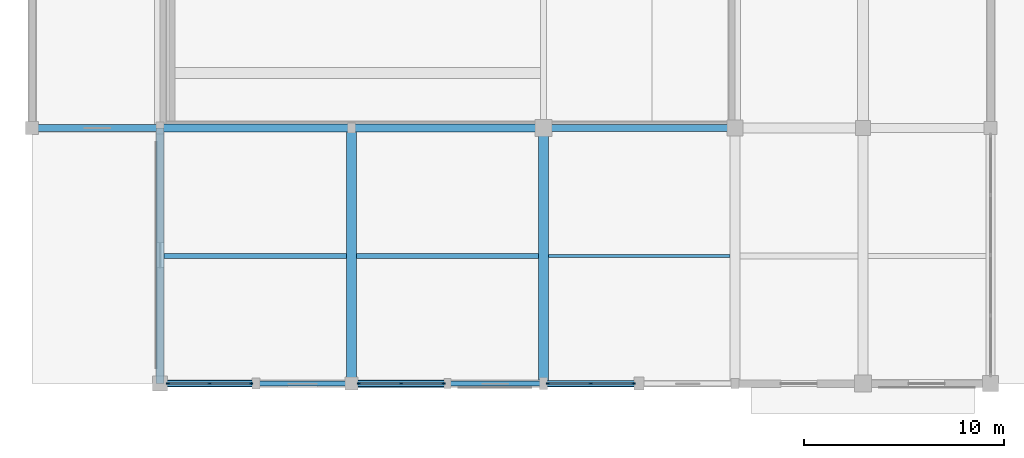
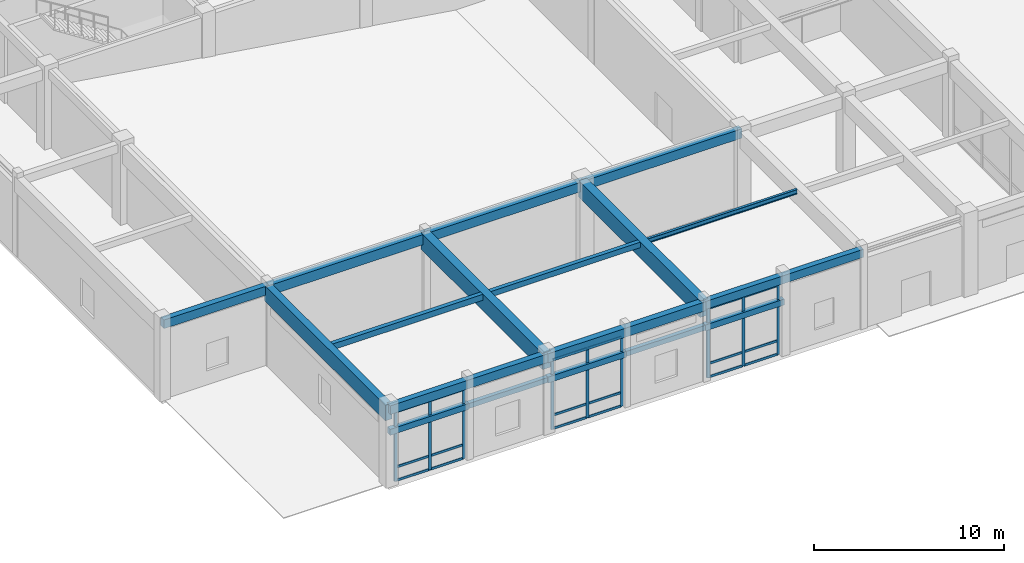
# One storey, part 4 of 40: 27 members, 18 beams, 3 elements without a shape of their own.
"""IFC4 building model written with IfcOpenShell, lengths in metres."""

import ifcopenshell
import ifcopenshell.guid

model = None  # the IFC model being written
_history = None  # IfcOwnerHistory: only IFC2X3 demands one
_inside = {}  # id of a spatial element -> (the spatial element, [elements in it])
_under = {}  # id of a project, library or spatial element -> (it, [spatial elements below it])
_declared = {}  # id of a project -> (the project, [libraries it declares])
_typed = {}  # id of a type object -> (the type object, [elements of that type])
_made_of = {}  # id of a material, layer set ... -> (it, [elements and type objects made of it])


def new_model(schema):
    """Start an empty IFC model of exactly this schema.

    Asked for "IFC4X3", IfcOpenShell would pick the latest addendum, in which some entities
    have other attributes; the version numbers below select the first issue.
    IFC2X3 requires an IfcOwnerHistory on every rooted entity: one is made here for all.
    """
    global model, _history
    if schema == "IFC4X3":
        model = ifcopenshell.file(schema_version=(4, 3, 0, 0))
    else:
        model = ifcopenshell.file(schema=schema)
    _inside.clear()
    _under.clear()
    _declared.clear()
    _typed.clear()
    _made_of.clear()
    _history = None
    if model.schema == "IFC2X3":
        org = make("IfcOrganization", Name="unknown")
        user = make(
            "IfcPersonAndOrganization",
            ThePerson=make("IfcPerson", FamilyName="unknown"),
            TheOrganization=org,
        )
        app = make(
            "IfcApplication",
            ApplicationDeveloper=org,
            Version="unknown",
            ApplicationFullName="unknown",
            ApplicationIdentifier="unknown",
        )
        _history = make(
            "IfcOwnerHistory",
            OwningUser=user,
            OwningApplication=app,
            ChangeAction="ADDED",
            CreationDate=0,
        )
    return model


def make(cls, **values):
    """One entity of the class cls with the attributes given. An attribute that is None is left unset."""
    return model.create_entity(
        cls, **{name: value for name, value in values.items() if value is not None}
    )


def rooted(cls, **values):
    """An entity with a GlobalId (a new one), such as an element, a storey or a relation."""
    return make(cls, GlobalId=ifcopenshell.guid.new(), OwnerHistory=_history, **values)


def si_unit(unit_type, name, prefix=None):
    """IfcSIUnit, for example si_unit("LENGTHUNIT", "METRE", prefix="MILLI")."""
    return make("IfcSIUnit", UnitType=unit_type, Prefix=prefix, Name=name)


def assignment(units):
    """IfcUnitAssignment: the units of a project."""
    return None if units is None else make("IfcUnitAssignment", Units=units)


def point(xyz):
    """IfcCartesianPoint."""
    return None if xyz is None else make("IfcCartesianPoint", Coordinates=xyz)


def direction(xyz):
    """IfcDirection."""
    return None if xyz is None else make("IfcDirection", DirectionRatios=xyz)


def frame(location, z_axis=None, x_axis=None):
    """IfcAxis2Placement3D, a coordinate frame: its origin and axes. An axis left out is left unset."""
    return make(
        "IfcAxis2Placement3D",
        Location=point(location),
        Axis=direction(z_axis),
        RefDirection=direction(x_axis),
    )


def frame_2d(location, x_axis=None):
    """IfcAxis2Placement2D, a coordinate frame in the plane: its origin and x axis."""
    return make(
        "IfcAxis2Placement2D", Location=point(location), RefDirection=direction(x_axis)
    )


def origin():
    """The frame at (0, 0, 0) with its axes left unset."""
    return frame((0.0, 0.0, 0.0))


def origin_2d():
    """The frame at (0, 0) in the plane with its x axis left unset."""
    return frame_2d((0.0, 0.0))


def place(relative_to, where):
    """IfcLocalPlacement: puts the frame where relative to a parent placement (None: the world)."""
    return make(
        "IfcLocalPlacement", PlacementRelTo=relative_to, RelativePlacement=where
    )


def context(
    kind, dimensions, precision=None, world=None, true_north=None, identifier=None
):
    """IfcGeometricRepresentationContext, for example the 3D "Model" context."""
    return make(
        "IfcGeometricRepresentationContext",
        ContextIdentifier=identifier,
        ContextType=kind,
        CoordinateSpaceDimension=dimensions,
        Precision=precision,
        WorldCoordinateSystem=world,
        TrueNorth=true_north,
    )


def subcontext(parent, identifier, kind, view, scale=None):
    """IfcGeometricRepresentationSubContext, for example "Body" below "Model"."""
    return make(
        "IfcGeometricRepresentationSubContext",
        ContextIdentifier=identifier,
        ContextType=kind,
        ParentContext=parent,
        TargetScale=scale,
        TargetView=view,
    )


def project(units=None, contexts=None):
    """IfcProject with its units and contexts."""
    return rooted(
        "IfcProject",
        Name="project",
        RepresentationContexts=contexts,
        UnitsInContext=assignment(units),
    )


def spatial(cls, under=None, at=None, **own):
    """A site, building, storey or space (cls), placed at a placement, below another one or the project."""
    s = rooted(cls, ObjectPlacement=at, **own)
    if under is not None:
        _under.setdefault(under.id(), (under, []))[1].append(s)
    return s


def profile(cls, at=None, kind="AREA", **sizes):
    """A parametric profile (cls). Its sizes go by their IFC names, for example OverallWidth=200.0."""
    return make(cls, ProfileType=kind, Position=at, **sizes)


def rectangle(**sizes):
    """IfcRectangleProfileDef."""
    return profile("IfcRectangleProfileDef", **sizes)


def i_section(**sizes):
    """IfcIShapeProfileDef."""
    return profile("IfcIShapeProfileDef", **sizes)


def extrude(swept, where, along, depth):
    """IfcExtrudedAreaSolid: the profile swept, set in the frame where, extruded along a direction by depth."""
    return make(
        "IfcExtrudedAreaSolid",
        SweptArea=swept,
        Position=where,
        ExtrudedDirection=direction(along),
        Depth=depth,
    )


def shape(context_of_items, identifier, shape_type, items):
    """IfcShapeRepresentation: the items that make up one representation, for example the "Body"."""
    return make(
        "IfcShapeRepresentation",
        ContextOfItems=context_of_items,
        RepresentationIdentifier=identifier,
        RepresentationType=shape_type,
        Items=items,
    )


def material(Name=None, Category=None):
    """IfcMaterial."""
    return make("IfcMaterial", Name=Name, Category=Category)


def material_profile(
    of_material, cross_section, Name=None, Category=None, Priority=None
):
    """IfcMaterialProfile: a cross section and its material."""
    return make(
        "IfcMaterialProfile",
        Name=Name,
        Material=of_material,
        Profile=cross_section,
        Priority=Priority,
        Category=Category,
    )


def profile_set(profiles, Name=None, composite=None):
    """IfcMaterialProfileSet."""
    return make(
        "IfcMaterialProfileSet",
        Name=Name,
        MaterialProfiles=profiles,
        CompositeProfile=composite,
    )


def made_of(thing, what):
    """Note that an element or type object is made of a material, layer set ...; save() writes the relation."""
    if what is not None:
        _made_of.setdefault(what.id(), (what, []))[1].append(thing)
    return thing


def type_object(cls, material=None, **own):
    """A type object (cls), such as IfcWallType, which elements share."""
    return made_of(rooted(cls, **own), material)


def element(
    cls,
    number,
    at=None,
    inside=None,
    cuts=None,
    type_object=None,
    material=None,
    context=None,
    identifier="Body",
    shape_type=None,
    held_by="IfcProductDefinitionShape",
    body=None,
    shapes=None,
    **own,
):
    """One element of the class cls, such as IfcWall. Its Tag is "e" and its number.

    at: its placement. inside: the storey or other place that contains it. cuts: it is an
    opening in that element (IfcRelVoidsElement). A single representation is given by context,
    identifier, shape_type and body (its items); several are given by shapes. held_by: the class
    of the entity that holds the representations. save() writes the other relations.
    """
    e = rooted(cls, Tag="e%d" % number, ObjectPlacement=at, **own)
    if body is not None:
        shapes = [shape(context, identifier, shape_type, body)]
    if shapes is not None:
        e.Representation = make(held_by, Representations=shapes)
    if inside is not None:
        _inside.setdefault(inside.id(), (inside, []))[1].append(e)
    if cuts is not None:
        rooted(
            "IfcRelVoidsElement", RelatingBuildingElement=cuts, RelatedOpeningElement=e
        )
    if type_object is not None:
        _typed.setdefault(type_object.id(), (type_object, []))[1].append(e)
    return made_of(e, material)


def aggregate(whole, parts):
    """IfcRelAggregates: a whole, such as a stair, and the parts it consists of."""
    return rooted("IfcRelAggregates", RelatingObject=whole, RelatedObjects=parts)


def save(model, path):
    """Write the relations noted so far, then the file.

    IfcRelAggregates (storeys below a building ...), IfcRelContainedInSpatialStructure (elements
    in a storey), IfcRelDefinesByType, IfcRelAssociatesMaterial and IfcRelDeclares: one each for
    every whole, place, type object, material and project.
    """
    for whole, parts in _under.values():
        aggregate(whole, parts)
    for where, things in _inside.values():
        rooted(
            "IfcRelContainedInSpatialStructure",
            RelatedElements=things,
            RelatingStructure=where,
        )
    for kind, things in _typed.values():
        rooted("IfcRelDefinesByType", RelatedObjects=things, RelatingType=kind)
    for what, things in _made_of.values():
        rooted("IfcRelAssociatesMaterial", RelatedObjects=things, RelatingMaterial=what)
    for by, libraries in _declared.values():
        rooted("IfcRelDeclares", RelatingContext=by, RelatedDefinitions=libraries)
    model.write(path)


model = new_model("IFC4")

# Units and contexts
model_context = context("Model", 3, precision=1e-05, world=origin(), true_north=direction((0.0, 1.0)))
body_context = subcontext(model_context, "Body", "Model", "MODEL_VIEW")
ifc_project = project(units=[si_unit("LENGTHUNIT", "METRE"), si_unit("AREAUNIT", "SQUARE_METRE"), si_unit("VOLUMEUNIT", "CUBIC_METRE"), si_unit("PLANEANGLEUNIT", "RADIAN"), si_unit("MASSUNIT", "GRAM", prefix="KILO")], contexts=[model_context])

# Site, building, storey
site_placement = place(None, origin())
site = spatial("IfcSite", under=ifc_project, at=site_placement, CompositionType="ELEMENT")
building_placement = place(site_placement, origin())
building = spatial("IfcBuilding", under=site, at=building_placement, Name="Vellmiral Cinema and Media Centre", CompositionType="ELEMENT")
storey_placement = place(building_placement, origin())
storey = spatial("IfcBuildingStorey", under=building, at=storey_placement, Name="L00", CompositionType="ELEMENT", Elevation=0.0)

# Beams
ifc_material_1 = material(Name="Concrete C40/50", Category="concrete")
ifc_material_profile_1 = material_profile(ifc_material_1, rectangle(XDim=0.35009765625, YDim=0.60009765625, at=origin_2d()), Name="RC 350x600")
ifc_profile_set_1 = profile_set([ifc_material_profile_1], Name="Concrete C40/50")
beam_type_1 = type_object("IfcBeamType", Name="BM-RC-350x600", PredefinedType="BEAM", material=ifc_profile_set_1)
beam_1_placement = place(storey_placement, frame((25.60009765625, 12.800048828125, 4.77490234375), z_axis=(1.0, 0.0, 0.0), x_axis=(0.0, 1.0, 0.0)))
element("IfcBeam", 1, at=beam_1_placement, inside=storey, type_object=beam_type_1, Name="Grid Beam L00-X009", PredefinedType="BEAM", context=body_context, shape_type="SweptSolid", body=[
    extrude(rectangle(XDim=0.35009765625, YDim=0.60009765625, at=origin_2d()), origin(), (0.0, 0.0, 1.0), 9.599853515625),
])
ifc_material_2 = material(Name="Concrete C40/50", Category="concrete")
ifc_material_profile_2 = material_profile(ifc_material_2, rectangle(XDim=0.39990234375, YDim=0.60009765625, at=origin_2d()), Name="RC 400x600")
ifc_profile_set_2 = profile_set([ifc_material_profile_2], Name="Concrete C40/50")
beam_type_2 = type_object("IfcBeamType", Name="BM-RC-400x600", PredefinedType="BEAM", material=ifc_profile_set_2)
beam_2_placement = place(storey_placement, frame((16.0, 12.800048828125, 4.77490234375), z_axis=(1.0, 0.0, 0.0), x_axis=(0.0, 1.0, 0.0)))
element("IfcBeam", 2, at=beam_2_placement, inside=storey, type_object=beam_type_2, Name="Grid Beam L00-X008", PredefinedType="BEAM", context=body_context, shape_type="SweptSolid", body=[
    extrude(rectangle(XDim=0.39990234375, YDim=0.60009765625, at=origin_2d()), origin(), (0.0, 0.0, 1.0), 9.60009765625),
])
ifc_material_3 = material(Name="Concrete C40/50", Category="concrete")
ifc_material_profile_3 = material_profile(ifc_material_3, rectangle(XDim=0.39990234375, YDim=0.64990234375, at=origin_2d()), Name="RC 400x650")
ifc_profile_set_3 = profile_set([ifc_material_profile_3], Name="Concrete C40/50")
beam_type_3 = type_object("IfcBeamType", Name="BM-RC-400x650", PredefinedType="BEAM", material=ifc_profile_set_3)
beam_3_placement = place(storey_placement, frame((6.39990234375, 12.800048828125, 4.75), z_axis=(1.0, 0.0, 0.0), x_axis=(0.0, 1.0, 0.0)))
element("IfcBeam", 3, at=beam_3_placement, inside=storey, type_object=beam_type_3, Name="Grid Beam L00-X007", PredefinedType="BEAM", context=body_context, shape_type="SweptSolid", body=[
    extrude(rectangle(XDim=0.39990234375, YDim=0.64990234375, at=origin_2d()), origin(), (0.0, 0.0, 1.0), 9.60009765625),
])
ifc_material_4 = material(Name="Concrete C40/50", Category="concrete")
ifc_material_profile_4 = material_profile(ifc_material_4, rectangle(XDim=0.5, YDim=1.050048828125, at=origin_2d()), Name="RC 500x1050")
ifc_profile_set_4 = profile_set([ifc_material_profile_4], Name="Concrete C40/50")
beam_type_4 = type_object("IfcBeamType", Name="BM-RCG-500x1050", PredefinedType="BEAM", material=ifc_profile_set_4)
for number, where, z_axis, x_axis, name in (
    (4, (16.0, 0.0, 4.550048828125), (0.0, 1.0, 0.0), (-1.0, 0.0, 0.0), "Grid Beam L00-Y210"),
    (5, (25.60009765625, 0.0, 4.550048828125), (0.0, 1.0, 0.0), (-1.0, 0.0, 0.0), "Grid Beam L00-Y213"),
):
    element("IfcBeam", number, at=place(storey_placement, frame(where, z_axis=z_axis, x_axis=x_axis)), inside=storey, type_object=beam_type_4, Name=name, PredefinedType="BEAM", context=body_context, shape_type="SweptSolid", body=[
        extrude(rectangle(XDim=0.5, YDim=1.050048828125, at=origin_2d()), origin(), (0.0, 0.0, 1.0), 12.800048828125),
    ])

# Curtain wall, members
ifc_material_5 = material(Name="Thermally Broken Aluminium and Triple Glazing", Category="aluminium")
curtain_wall_type = type_object("IfcCurtainWallType", Name="CW-POD-GALLERY", PredefinedType="USERDEFINED", material=ifc_material_5)
curtain_wall_1_placement = place(storey_placement, origin())
curtain_wall_1 = element("IfcCurtainWall", 6, at=curtain_wall_1_placement, inside=storey, type_object=curtain_wall_type, Name="Curtain Wall L00-B001", ObjectType="STICK CURTAIN WALL", PredefinedType="USERDEFINED")
ifc_material_6 = material(Name="Thermally Broken Anodised Aluminium", Category="aluminium")
ifc_material_profile_5 = material_profile(ifc_material_6, rectangle(XDim=0.070068359375, YDim=0.179931640625, at=origin_2d()), Name="MULL 70x180")
ifc_profile_set_5 = profile_set([ifc_material_profile_5], Name="Thermally Broken Anodised Aluminium")
member_type_1 = type_object("IfcMemberType", Name="CWM-70x180", PredefinedType="MULLION", material=ifc_profile_set_5)
member_1_placement = place(storey_placement, frame((6.81005859375, 0.0, 0.0), z_axis=(0.0, 0.0, 1.0), x_axis=(0.0, 1.0, 0.0)))
member_1 = element("IfcMember", 7, at=member_1_placement, type_object=member_type_1, Name="CW-04 mullion 1", PredefinedType="MULLION", context=body_context, shape_type="SweptSolid", body=[
    extrude(rectangle(XDim=0.070068359375, YDim=0.179931640625, at=origin_2d()), origin(), (0.0, 0.0, 1.0), 4.47998046875),
])
member_2_placement = place(storey_placement, frame((8.887451171875, 0.0, 0.0), z_axis=(0.0, 0.0, 1.0), x_axis=(0.0, 1.0, 0.0)))
member_2 = element("IfcMember", 8, at=member_2_placement, type_object=member_type_1, Name="CW-04 mullion 2", PredefinedType="MULLION", context=body_context, shape_type="SweptSolid", body=[
    extrude(rectangle(XDim=0.070068359375, YDim=0.179931640625, at=origin_2d()), origin(), (0.0, 0.0, 1.0), 4.47998046875),
])
member_3_placement = place(storey_placement, frame((10.965087890625, 0.0, 0.0), z_axis=(0.0, 0.0, 1.0), x_axis=(0.0, 1.0, 0.0)))
member_3 = element("IfcMember", 9, at=member_3_placement, type_object=member_type_1, Name="CW-04 mullion 3", PredefinedType="MULLION", context=body_context, shape_type="SweptSolid", body=[
    extrude(rectangle(XDim=0.070068359375, YDim=0.179931640625, at=origin_2d()), origin(), (0.0, 0.0, 1.0), 4.47998046875),
])

curtain_wall_2_placement = place(storey_placement, origin())
curtain_wall_2 = element("IfcCurtainWall", 10, at=curtain_wall_2_placement, inside=storey, type_object=curtain_wall_type, Name="Curtain Wall L00-B003", ObjectType="STICK CURTAIN WALL", PredefinedType="USERDEFINED")
member_4_placement = place(storey_placement, frame((16.360107421875, 0.0, 0.0), z_axis=(0.0, 0.0, 1.0), x_axis=(0.0, 1.0, 0.0)))
member_4 = element("IfcMember", 11, at=member_4_placement, type_object=member_type_1, Name="CW-04 mullion 1", PredefinedType="MULLION", context=body_context, shape_type="SweptSolid", body=[
    extrude(rectangle(XDim=0.070068359375, YDim=0.179931640625, at=origin_2d()), origin(), (0.0, 0.0, 1.0), 4.47998046875),
])
member_5_placement = place(storey_placement, frame((18.47509765625, 0.0, 0.0), z_axis=(0.0, 0.0, 1.0), x_axis=(0.0, 1.0, 0.0)))
member_5 = element("IfcMember", 12, at=member_5_placement, type_object=member_type_1, Name="CW-04 mullion 2", PredefinedType="MULLION", context=body_context, shape_type="SweptSolid", body=[
    extrude(rectangle(XDim=0.070068359375, YDim=0.179931640625, at=origin_2d()), origin(), (0.0, 0.0, 1.0), 4.47998046875),
])
member_6_placement = place(storey_placement, frame((20.590087890625, 0.0, 0.0), z_axis=(0.0, 0.0, 1.0), x_axis=(0.0, 1.0, 0.0)))
member_6 = element("IfcMember", 13, at=member_6_placement, type_object=member_type_1, Name="CW-04 mullion 3", PredefinedType="MULLION", context=body_context, shape_type="SweptSolid", body=[
    extrude(rectangle(XDim=0.070068359375, YDim=0.179931640625, at=origin_2d()), origin(), (0.0, 0.0, 1.0), 4.47998046875),
])

curtain_wall_3_placement = place(storey_placement, origin())
curtain_wall_3 = element("IfcCurtainWall", 14, at=curtain_wall_3_placement, inside=storey, type_object=curtain_wall_type, Name="Curtain Wall L00-B005", ObjectType="STICK CURTAIN WALL", PredefinedType="USERDEFINED")
member_7_placement = place(storey_placement, frame((25.8349609375, 0.0, 0.0), z_axis=(0.0, 0.0, 1.0), x_axis=(0.0, 1.0, 0.0)))
member_7 = element("IfcMember", 15, at=member_7_placement, type_object=member_type_1, Name="CW-04 mullion 1", PredefinedType="MULLION", context=body_context, shape_type="SweptSolid", body=[
    extrude(rectangle(XDim=0.070068359375, YDim=0.179931640625, at=origin_2d()), origin(), (0.0, 0.0, 1.0), 4.47998046875),
])
member_8_placement = place(storey_placement, frame((27.97509765625, 0.0, 0.0), z_axis=(0.0, 0.0, 1.0), x_axis=(0.0, 1.0, 0.0)))
member_8 = element("IfcMember", 16, at=member_8_placement, type_object=member_type_1, Name="CW-04 mullion 2", PredefinedType="MULLION", context=body_context, shape_type="SweptSolid", body=[
    extrude(rectangle(XDim=0.070068359375, YDim=0.179931640625, at=origin_2d()), origin(), (0.0, 0.0, 1.0), 4.47998046875),
])
member_9_placement = place(storey_placement, frame((30.114990234375, 0.0, 0.0), z_axis=(0.0, 0.0, 1.0), x_axis=(0.0, 1.0, 0.0)))
member_9 = element("IfcMember", 17, at=member_9_placement, type_object=member_type_1, Name="CW-04 mullion 3", PredefinedType="MULLION", context=body_context, shape_type="SweptSolid", body=[
    extrude(rectangle(XDim=0.070068359375, YDim=0.179931640625, at=origin_2d()), origin(), (0.0, 0.0, 1.0), 4.47998046875),
])

# Member
ifc_material_7 = material(Name="Thermally Broken Anodised Aluminium", Category="aluminium")
ifc_material_profile_6 = material_profile(ifc_material_7, rectangle(XDim=0.070068359375, YDim=0.14990234375, at=origin_2d()), Name="MULL 70x150")
ifc_profile_set_6 = profile_set([ifc_material_profile_6], Name="Thermally Broken Anodised Aluminium")
member_type_2 = type_object("IfcMemberType", Name="CWT-70x150", PredefinedType="USERDEFINED", material=ifc_profile_set_6)
member_10_placement = place(storey_placement, frame((6.844970703125, 0.0, 0.034912109375), z_axis=(1.0, 0.0, 0.0), x_axis=(0.0, 1.0, 0.0)))
member_10 = element("IfcMember", 18, at=member_10_placement, type_object=member_type_2, Name="CW-04 transom 1.1", ObjectType="TRANSOM", PredefinedType="USERDEFINED", context=body_context, shape_type="SweptSolid", body=[
    extrude(rectangle(XDim=0.070068359375, YDim=0.14990234375, at=origin_2d()), origin(), (0.0, 0.0, 1.0), 2.007568359375),
])

member_11_placement = place(storey_placement, frame((6.844970703125, 0.0, 0.89990234375), z_axis=(1.0, 0.0, 0.0), x_axis=(0.0, 1.0, 0.0)))
member_11 = element("IfcMember", 19, at=member_11_placement, type_object=member_type_2, Name="CW-04 transom 1.2", ObjectType="TRANSOM", PredefinedType="USERDEFINED", context=body_context, shape_type="SweptSolid", body=[
    extrude(rectangle(XDim=0.070068359375, YDim=0.14990234375, at=origin_2d()), origin(), (0.0, 0.0, 1.0), 2.007568359375),
])

member_12_placement = place(storey_placement, frame((6.844970703125, 0.0, 4.445068359375), z_axis=(1.0, 0.0, 0.0), x_axis=(0.0, 1.0, 0.0)))
member_12 = element("IfcMember", 20, at=member_12_placement, type_object=member_type_2, Name="CW-04 transom 1.3", ObjectType="TRANSOM", PredefinedType="USERDEFINED", context=body_context, shape_type="SweptSolid", body=[
    extrude(rectangle(XDim=0.070068359375, YDim=0.14990234375, at=origin_2d()), origin(), (0.0, 0.0, 1.0), 2.007568359375),
])

member_13_placement = place(storey_placement, frame((8.922607421875, 0.0, 0.034912109375), z_axis=(1.0, 0.0, 0.0), x_axis=(0.0, 1.0, 0.0)))
member_13 = element("IfcMember", 21, at=member_13_placement, type_object=member_type_2, Name="CW-04 transom 2.1", ObjectType="TRANSOM", PredefinedType="USERDEFINED", context=body_context, shape_type="SweptSolid", body=[
    extrude(rectangle(XDim=0.070068359375, YDim=0.14990234375, at=origin_2d()), origin(), (0.0, 0.0, 1.0), 2.00732421875),
])

member_14_placement = place(storey_placement, frame((8.922607421875, 0.0, 0.89990234375), z_axis=(1.0, 0.0, 0.0), x_axis=(0.0, 1.0, 0.0)))
member_14 = element("IfcMember", 22, at=member_14_placement, type_object=member_type_2, Name="CW-04 transom 2.2", ObjectType="TRANSOM", PredefinedType="USERDEFINED", context=body_context, shape_type="SweptSolid", body=[
    extrude(rectangle(XDim=0.070068359375, YDim=0.14990234375, at=origin_2d()), origin(), (0.0, 0.0, 1.0), 2.00732421875),
])

member_15_placement = place(storey_placement, frame((8.922607421875, 0.0, 4.445068359375), z_axis=(1.0, 0.0, 0.0), x_axis=(0.0, 1.0, 0.0)))
member_15 = element("IfcMember", 23, at=member_15_placement, type_object=member_type_2, Name="CW-04 transom 2.3", ObjectType="TRANSOM", PredefinedType="USERDEFINED", context=body_context, shape_type="SweptSolid", body=[
    extrude(rectangle(XDim=0.070068359375, YDim=0.14990234375, at=origin_2d()), origin(), (0.0, 0.0, 1.0), 2.00732421875),
])

aggregate(curtain_wall_1, [member_1, member_2, member_3, member_10, member_11, member_12, member_13, member_14, member_15])

member_16_placement = place(storey_placement, frame((16.39501953125, 0.0, 0.034912109375), z_axis=(1.0, 0.0, 0.0), x_axis=(0.0, 1.0, 0.0)))
member_16 = element("IfcMember", 24, at=member_16_placement, type_object=member_type_2, Name="CW-04 transom 1.1", ObjectType="TRANSOM", PredefinedType="USERDEFINED", context=body_context, shape_type="SweptSolid", body=[
    extrude(rectangle(XDim=0.070068359375, YDim=0.14990234375, at=origin_2d()), origin(), (0.0, 0.0, 1.0), 2.044921875),
])

member_17_placement = place(storey_placement, frame((16.39501953125, 0.0, 0.89990234375), z_axis=(1.0, 0.0, 0.0), x_axis=(0.0, 1.0, 0.0)))
member_17 = element("IfcMember", 25, at=member_17_placement, type_object=member_type_2, Name="CW-04 transom 1.2", ObjectType="TRANSOM", PredefinedType="USERDEFINED", context=body_context, shape_type="SweptSolid", body=[
    extrude(rectangle(XDim=0.070068359375, YDim=0.14990234375, at=origin_2d()), origin(), (0.0, 0.0, 1.0), 2.044921875),
])

member_18_placement = place(storey_placement, frame((16.39501953125, 0.0, 4.445068359375), z_axis=(1.0, 0.0, 0.0), x_axis=(0.0, 1.0, 0.0)))
member_18 = element("IfcMember", 26, at=member_18_placement, type_object=member_type_2, Name="CW-04 transom 1.3", ObjectType="TRANSOM", PredefinedType="USERDEFINED", context=body_context, shape_type="SweptSolid", body=[
    extrude(rectangle(XDim=0.070068359375, YDim=0.14990234375, at=origin_2d()), origin(), (0.0, 0.0, 1.0), 2.044921875),
])

member_19_placement = place(storey_placement, frame((18.510009765625, 0.0, 0.034912109375), z_axis=(1.0, 0.0, 0.0), x_axis=(0.0, 1.0, 0.0)))
member_19 = element("IfcMember", 27, at=member_19_placement, type_object=member_type_2, Name="CW-04 transom 2.1", ObjectType="TRANSOM", PredefinedType="USERDEFINED", context=body_context, shape_type="SweptSolid", body=[
    extrude(rectangle(XDim=0.070068359375, YDim=0.14990234375, at=origin_2d()), origin(), (0.0, 0.0, 1.0), 2.044921875),
])

member_20_placement = place(storey_placement, frame((18.510009765625, 0.0, 0.89990234375), z_axis=(1.0, 0.0, 0.0), x_axis=(0.0, 1.0, 0.0)))
member_20 = element("IfcMember", 28, at=member_20_placement, type_object=member_type_2, Name="CW-04 transom 2.2", ObjectType="TRANSOM", PredefinedType="USERDEFINED", context=body_context, shape_type="SweptSolid", body=[
    extrude(rectangle(XDim=0.070068359375, YDim=0.14990234375, at=origin_2d()), origin(), (0.0, 0.0, 1.0), 2.044921875),
])

member_21_placement = place(storey_placement, frame((18.510009765625, 0.0, 4.445068359375), z_axis=(1.0, 0.0, 0.0), x_axis=(0.0, 1.0, 0.0)))
member_21 = element("IfcMember", 29, at=member_21_placement, type_object=member_type_2, Name="CW-04 transom 2.3", ObjectType="TRANSOM", PredefinedType="USERDEFINED", context=body_context, shape_type="SweptSolid", body=[
    extrude(rectangle(XDim=0.070068359375, YDim=0.14990234375, at=origin_2d()), origin(), (0.0, 0.0, 1.0), 2.044921875),
])

aggregate(curtain_wall_2, [member_4, member_5, member_6, member_16, member_17, member_18, member_19, member_20, member_21])

member_22_placement = place(storey_placement, frame((25.8701171875, 0.0, 0.034912109375), z_axis=(1.0, 0.0, 0.0), x_axis=(0.0, 1.0, 0.0)))
member_22 = element("IfcMember", 30, at=member_22_placement, type_object=member_type_2, Name="CW-04 transom 1.1", ObjectType="TRANSOM", PredefinedType="USERDEFINED", context=body_context, shape_type="SweptSolid", body=[
    extrude(rectangle(XDim=0.070068359375, YDim=0.14990234375, at=origin_2d()), origin(), (0.0, 0.0, 1.0), 2.06982421875),
])

member_23_placement = place(storey_placement, frame((25.8701171875, 0.0, 0.89990234375), z_axis=(1.0, 0.0, 0.0), x_axis=(0.0, 1.0, 0.0)))
member_23 = element("IfcMember", 31, at=member_23_placement, type_object=member_type_2, Name="CW-04 transom 1.2", ObjectType="TRANSOM", PredefinedType="USERDEFINED", context=body_context, shape_type="SweptSolid", body=[
    extrude(rectangle(XDim=0.070068359375, YDim=0.14990234375, at=origin_2d()), origin(), (0.0, 0.0, 1.0), 2.06982421875),
])

member_24_placement = place(storey_placement, frame((25.8701171875, 0.0, 4.445068359375), z_axis=(1.0, 0.0, 0.0), x_axis=(0.0, 1.0, 0.0)))
member_24 = element("IfcMember", 32, at=member_24_placement, type_object=member_type_2, Name="CW-04 transom 1.3", ObjectType="TRANSOM", PredefinedType="USERDEFINED", context=body_context, shape_type="SweptSolid", body=[
    extrude(rectangle(XDim=0.070068359375, YDim=0.14990234375, at=origin_2d()), origin(), (0.0, 0.0, 1.0), 2.06982421875),
])

member_25_placement = place(storey_placement, frame((28.010009765625, 0.0, 0.034912109375), z_axis=(1.0, 0.0, 0.0), x_axis=(0.0, 1.0, 0.0)))
member_25 = element("IfcMember", 33, at=member_25_placement, type_object=member_type_2, Name="CW-04 transom 2.1", ObjectType="TRANSOM", PredefinedType="USERDEFINED", context=body_context, shape_type="SweptSolid", body=[
    extrude(rectangle(XDim=0.070068359375, YDim=0.14990234375, at=origin_2d()), origin(), (0.0, 0.0, 1.0), 2.070068359375),
])

member_26_placement = place(storey_placement, frame((28.010009765625, 0.0, 0.89990234375), z_axis=(1.0, 0.0, 0.0), x_axis=(0.0, 1.0, 0.0)))
member_26 = element("IfcMember", 34, at=member_26_placement, type_object=member_type_2, Name="CW-04 transom 2.2", ObjectType="TRANSOM", PredefinedType="USERDEFINED", context=body_context, shape_type="SweptSolid", body=[
    extrude(rectangle(XDim=0.070068359375, YDim=0.14990234375, at=origin_2d()), origin(), (0.0, 0.0, 1.0), 2.070068359375),
])

member_27_placement = place(storey_placement, frame((28.010009765625, 0.0, 4.445068359375), z_axis=(1.0, 0.0, 0.0), x_axis=(0.0, 1.0, 0.0)))
member_27 = element("IfcMember", 35, at=member_27_placement, type_object=member_type_2, Name="CW-04 transom 2.3", ObjectType="TRANSOM", PredefinedType="USERDEFINED", context=body_context, shape_type="SweptSolid", body=[
    extrude(rectangle(XDim=0.070068359375, YDim=0.14990234375, at=origin_2d()), origin(), (0.0, 0.0, 1.0), 2.070068359375),
])

aggregate(curtain_wall_3, [member_7, member_8, member_9, member_22, member_23, member_24, member_25, member_26, member_27])

# Beams
ifc_material_8 = material(Name="Concrete C40/50", Category="concrete")
ifc_material_profile_7 = material_profile(ifc_material_8, rectangle(XDim=0.25, YDim=0.35009765625, at=origin_2d()), Name="RC 250x350")
ifc_profile_set_7 = profile_set([ifc_material_profile_7], Name="Concrete C40/50")
beam_type_5 = type_object("IfcBeamType", Name="JST-RC-250x350", PredefinedType="JOIST", material=ifc_profile_set_7)
beam_4_placement = place(storey_placement, frame((16.25, 6.39990234375, 4.89990234375), z_axis=(1.0, 0.0, 0.0), x_axis=(0.0, 1.0, 0.0)))
element("IfcBeam", 36, at=beam_4_placement, inside=storey, type_object=beam_type_5, Name="Secondary Floor Joist L00-003", PredefinedType="JOIST", context=body_context, shape_type="SweptSolid", body=[
    extrude(rectangle(XDim=0.25, YDim=0.35009765625, at=origin_2d()), origin(), (0.0, 0.0, 1.0), 9.10009765625),
])
ifc_material_9 = material(Name="Concrete C40/50", Category="concrete")
ifc_material_profile_8 = material_profile(ifc_material_9, rectangle(XDim=0.260009765625, YDim=0.3798828125, at=origin_2d()), Name="RC 260x380")
ifc_profile_set_8 = profile_set([ifc_material_profile_8], Name="Concrete C40/50")
beam_type_6 = type_object("IfcBeamType", Name="JST-RC-260x380", PredefinedType="JOIST", material=ifc_profile_set_8)
beam_5_placement = place(storey_placement, frame((6.610107421875, 6.39990234375, 4.885009765625), z_axis=(1.0, 0.0, 0.0), x_axis=(0.0, 1.0, 0.0)))
element("IfcBeam", 37, at=beam_5_placement, inside=storey, type_object=beam_type_6, Name="Secondary Floor Joist L00-002", PredefinedType="JOIST", context=body_context, shape_type="SweptSolid", body=[
    extrude(rectangle(XDim=0.260009765625, YDim=0.3798828125, at=origin_2d()), origin(), (0.0, 0.0, 1.0), 9.139892578125),
])
ifc_material_10 = material(Name="Concrete C40/50", Category="concrete")
ifc_material_profile_9 = material_profile(ifc_material_10, rectangle(XDim=0.25, YDim=0.320068359375, at=origin_2d()), Name="RC 250x320")
ifc_profile_set_9 = profile_set([ifc_material_profile_9], Name="Concrete C40/50")
beam_type_7 = type_object("IfcBeamType", Name="LNT-RC-250x320", PredefinedType="LINTEL", material=ifc_profile_set_9)
for number, where, z_axis, x_axis, name in (
    (38, (11.199951171875, 0.0, 3.35009765625), (1.0, 0.0, 0.0), (0.0, 1.0, 0.0), "Promenade Arcade Lintel L00-02"),
    (39, (20.800048828125, 0.0, 3.35009765625), (1.0, 0.0, 0.0), (0.0, 1.0, 0.0), "Promenade Arcade Lintel L00-04"),
):
    element("IfcBeam", number, at=place(storey_placement, frame(where, z_axis=z_axis, x_axis=x_axis)), inside=storey, type_object=beam_type_7, Name=name, PredefinedType="LINTEL", context=body_context, shape_type="SweptSolid", body=[
        extrude(rectangle(XDim=0.25, YDim=0.320068359375, at=origin_2d()), origin(), (0.0, 0.0, 1.0), 4.800048828125),
    ])
ifc_material_11 = material(Name="Vosges Red Sandstone Masonry", Category="masonry")
ifc_material_profile_10 = material_profile(ifc_material_11, rectangle(XDim=0.300048828125, YDim=0.3798828125, at=origin_2d()), Name="SAND 300x380")
ifc_profile_set_10 = profile_set([ifc_material_profile_10], Name="Vosges Red Sandstone Masonry")
beam_type_8 = type_object("IfcBeamType", Name="LNT-SAND-300x380", PredefinedType="LINTEL", material=ifc_profile_set_10)
for number, where, z_axis, x_axis, name in (
    (40, (6.39990234375, 0.0, 3.35009765625), (1.0, 0.0, 0.0), (0.0, 1.0, 0.0), "Promenade Arcade Lintel L00-01"),
    (41, (16.0, 0.0, 3.35009765625), (1.0, 0.0, 0.0), (0.0, 1.0, 0.0), "Promenade Arcade Lintel L00-03"),
):
    element("IfcBeam", number, at=place(storey_placement, frame(where, z_axis=z_axis, x_axis=x_axis)), inside=storey, type_object=beam_type_8, Name=name, PredefinedType="LINTEL", context=body_context, shape_type="SweptSolid", body=[
        extrude(rectangle(XDim=0.300048828125, YDim=0.3798828125, at=origin_2d()), origin(), (0.0, 0.0, 1.0), 4.800048828125),
    ])
beam_6_placement = place(storey_placement, frame((25.60009765625, 0.0, 3.35009765625), z_axis=(1.0, 0.0, 0.0), x_axis=(0.0, 1.0, 0.0)))
element("IfcBeam", 42, at=beam_6_placement, inside=storey, type_object=beam_type_8, Name="Promenade Arcade Lintel L00-05", PredefinedType="LINTEL", context=body_context, shape_type="SweptSolid", body=[
    extrude(rectangle(XDim=0.300048828125, YDim=0.3798828125, at=origin_2d()), origin(), (0.0, 0.0, 1.0), 4.7998046875),
])
ifc_material_12 = material(Name="Steel S355", Category="steel")
ifc_material_profile_11 = material_profile(ifc_material_12, i_section(OverallWidth=0.14990234375, OverallDepth=0.300048828125, WebThickness=0.007080078125, FlangeThickness=0.0107421875, FilletRadius=0.014892578125, at=origin_2d()), Name="IPE 300")
ifc_profile_set_11 = profile_set([ifc_material_profile_11], Name="Steel S355")
beam_type_9 = type_object("IfcBeamType", Name="SBM-IPE300", PredefinedType="JOIST", material=ifc_profile_set_11)
beam_7_placement = place(storey_placement, frame((25.85009765625, 6.39990234375, 4.925048828125), z_axis=(1.0, 0.0, 0.0), x_axis=(0.0, 1.0, 0.0)))
element("IfcBeam", 43, at=beam_7_placement, inside=storey, type_object=beam_type_9, Name="Secondary Floor Joist L00-004", PredefinedType="JOIST", context=body_context, shape_type="SweptSolid", body=[
    extrude(i_section(OverallWidth=0.14990234375, OverallDepth=0.300048828125, WebThickness=0.007080078125, FlangeThickness=0.0107421875, FilletRadius=0.014892578125, at=origin_2d()), origin(), (0.0, 0.0, 1.0), 9.099853515625),
])
ifc_material_13 = material(Name="Concrete C40/50", Category="concrete")
ifc_material_profile_12 = material_profile(ifc_material_13, rectangle(XDim=0.35009765625, YDim=0.56005859375, at=origin_2d()), Name="RC 350x560")
ifc_profile_set_12 = profile_set([ifc_material_profile_12], Name="Concrete C40/50")
beam_type_10 = type_object("IfcBeamType", Name="SPD-RC-350x560", PredefinedType="SPANDREL", material=ifc_profile_set_12)
beam_8_placement = place(storey_placement, frame((6.39990234375, 0.0, 4.794921875), z_axis=(1.0, 0.0, 0.0), x_axis=(0.0, 1.0, 0.0)))
element("IfcBeam", 44, at=beam_8_placement, inside=storey, type_object=beam_type_10, Name="Grid Beam L00-X001", PredefinedType="SPANDREL", context=body_context, shape_type="SweptSolid", body=[
    extrude(rectangle(XDim=0.35009765625, YDim=0.56005859375, at=origin_2d()), origin(), (0.0, 0.0, 1.0), 9.60009765625),
])
beam_9_placement = place(storey_placement, frame((0.0, 12.800048828125, 4.794921875), z_axis=(1.0, 0.0, 0.0), x_axis=(0.0, 1.0, 0.0)))
element("IfcBeam", 45, at=beam_9_placement, inside=storey, type_object=beam_type_10, Name="Grid Beam L00-X006", PredefinedType="SPANDREL", context=body_context, shape_type="SweptSolid", body=[
    extrude(rectangle(XDim=0.35009765625, YDim=0.56005859375, at=origin_2d()), origin(), (0.0, 0.0, 1.0), 6.39990234375),
])
ifc_material_14 = material(Name="Vosges Red Sandstone Masonry", Category="masonry")
ifc_material_profile_13 = material_profile(ifc_material_14, rectangle(XDim=0.340087890625, YDim=0.52001953125, at=origin_2d()), Name="SAND 340x520")
ifc_profile_set_13 = profile_set([ifc_material_profile_13], Name="Vosges Red Sandstone Masonry")
beam_type_11 = type_object("IfcBeamType", Name="SPD-SAND-340x520", PredefinedType="SPANDREL", material=ifc_profile_set_13)
beam_10_placement = place(storey_placement, frame((25.60009765625, 0.0, 4.81494140625), z_axis=(1.0, 0.0, 0.0), x_axis=(0.0, 1.0, 0.0)))
element("IfcBeam", 46, at=beam_10_placement, inside=storey, type_object=beam_type_11, Name="Grid Beam L00-X003", PredefinedType="SPANDREL", context=body_context, shape_type="SweptSolid", body=[
    extrude(rectangle(XDim=0.340087890625, YDim=0.52001953125, at=origin_2d()), origin(), (0.0, 0.0, 1.0), 9.599853515625),
])
ifc_material_15 = material(Name="Vosges Red Sandstone Masonry", Category="masonry")
ifc_material_profile_14 = material_profile(ifc_material_15, rectangle(XDim=0.3798828125, YDim=0.580078125, at=origin_2d()), Name="SAND 380x580")
ifc_profile_set_14 = profile_set([ifc_material_profile_14], Name="Vosges Red Sandstone Masonry")
beam_type_12 = type_object("IfcBeamType", Name="SPD-SAND-380x580", PredefinedType="SPANDREL", material=ifc_profile_set_14)
beam_11_placement = place(storey_placement, frame((16.0, 0.0, 4.784912109375), z_axis=(1.0, 0.0, 0.0), x_axis=(0.0, 1.0, 0.0)))
element("IfcBeam", 47, at=beam_11_placement, inside=storey, type_object=beam_type_12, Name="Grid Beam L00-X002", PredefinedType="SPANDREL", context=body_context, shape_type="SweptSolid", body=[
    extrude(rectangle(XDim=0.3798828125, YDim=0.580078125, at=origin_2d()), origin(), (0.0, 0.0, 1.0), 9.60009765625),
])
ifc_material_16 = material(Name="Vosges Red Sandstone Masonry", Category="masonry")
ifc_material_profile_15 = material_profile(ifc_material_16, rectangle(XDim=0.419921875, YDim=1.0, at=origin_2d()), Name="SAND 420x1000")
ifc_profile_set_15 = profile_set([ifc_material_profile_15], Name="Vosges Red Sandstone Masonry")
beam_type_13 = type_object("IfcBeamType", Name="SPD-SANDG-420x1000", PredefinedType="SPANDREL", material=ifc_profile_set_15)
beam_12_placement = place(storey_placement, frame((6.39990234375, 0.0, 4.574951171875), z_axis=(0.0, 1.0, 0.0), x_axis=(-1.0, 0.0, 0.0)))
element("IfcBeam", 48, at=beam_12_placement, inside=storey, type_object=beam_type_13, Name="Grid Beam L00-Y198", PredefinedType="SPANDREL", context=body_context, shape_type="SweptSolid", body=[
    extrude(rectangle(XDim=0.419921875, YDim=1.0, at=origin_2d()), origin(), (0.0, 0.0, 1.0), 12.800048828125),
])

save(model, "model.ifc")
